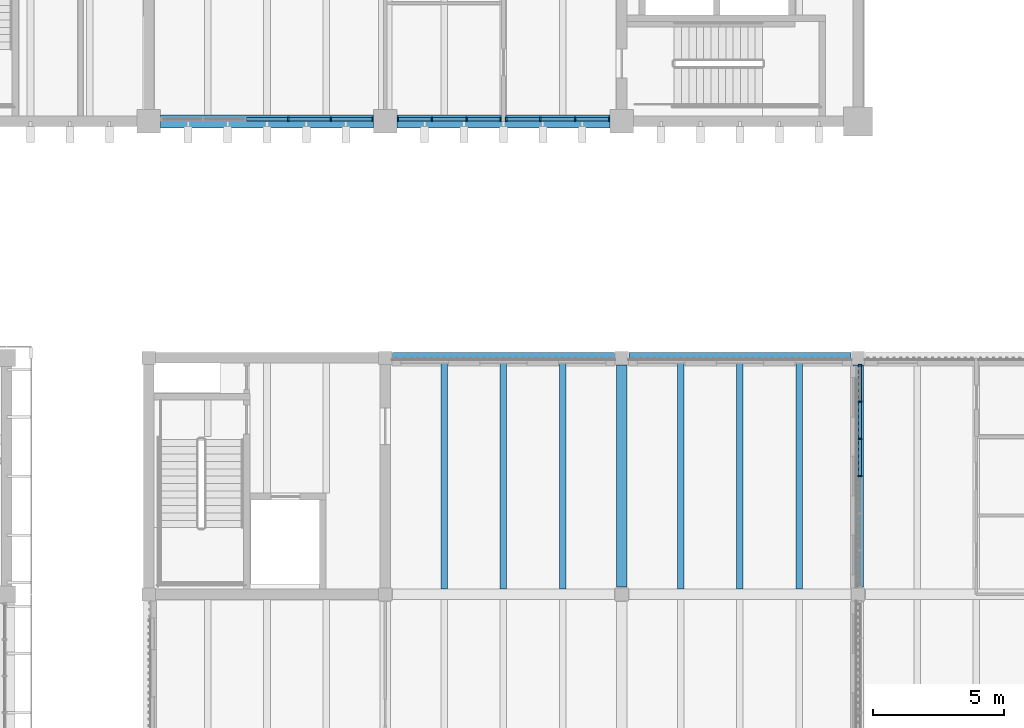
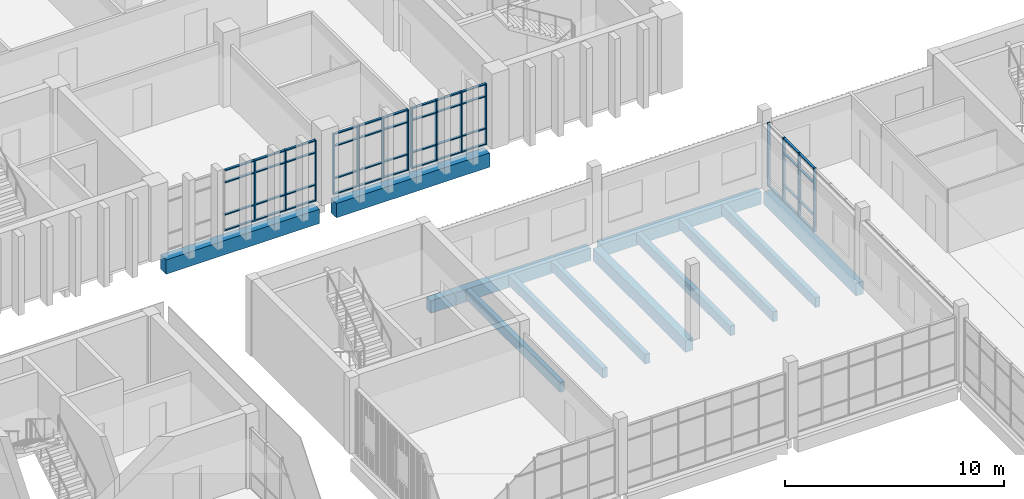
# One storey, part 29 of 92: 60 members, 12 beams, 4 elements without a shape of their own.
"""IFC4 building model written with IfcOpenShell, lengths in metres."""

from ifc_helpers import new_model, si_unit, direction, frame, origin, origin_2d, place, context, subcontext, project, spatial, rectangle, extrude, material, material_profile, profile_set, type_object, element, aggregate, save


model = new_model("IFC4")

# Units and contexts
model_context = context("Model", 3, precision=1e-05, world=origin(), true_north=direction((0.0, 1.0)))
body_context = subcontext(model_context, "Body", "Model", "MODEL_VIEW")
ifc_project = project(units=[si_unit("LENGTHUNIT", "METRE"), si_unit("AREAUNIT", "SQUARE_METRE"), si_unit("VOLUMEUNIT", "CUBIC_METRE"), si_unit("PLANEANGLEUNIT", "RADIAN"), si_unit("MASSUNIT", "GRAM", prefix="KILO")], contexts=[model_context])

# Site, building, storey
site_placement = place(None, origin())
site = spatial("IfcSite", under=ifc_project, at=site_placement, CompositionType="ELEMENT")
building_placement = place(site_placement, origin())
building = spatial("IfcBuilding", under=site, at=building_placement, Name="Merrow Basin Faculty of Sciences", CompositionType="ELEMENT")
storey_placement = place(building_placement, frame((0.0, 0.0, 4.5)))
storey = spatial("IfcBuildingStorey", under=building, at=storey_placement, Name="L01", CompositionType="ELEMENT", Elevation=4.5)

# Curtain wall, members
ifc_material_1 = material(Name="Aluminium alloy 6063", Category="aluminium")
curtain_wall_type_1 = type_object("IfcCurtainWallType", Name="Court curtain wall 140", PredefinedType="NOTDEFINED", material=ifc_material_1)
curtain_wall_1_placement = place(storey_placement, origin())
curtain_wall_1 = element("IfcCurtainWall", 1, at=curtain_wall_1_placement, inside=storey, type_object=curtain_wall_type_1, Name="Court curtain wall L01 8", PredefinedType="NOTDEFINED")
ifc_material_2 = material(Name="Aluminium alloy 6063", Category="aluminium")
ifc_material_profile_1 = material_profile(ifc_material_2, rectangle(XDim=0.139892578125, YDim=0.06005859375, at=origin_2d()))
ifc_profile_set_1 = profile_set([ifc_material_profile_1], Name="Aluminium alloy 6063")
member_type_1 = type_object("IfcMemberType", Name="Aluminium mullion 60x140", PredefinedType="MULLION", material=ifc_profile_set_1)
member_1_placement = place(storey_placement, frame((54.070068359375, 128.5, 0.0), z_axis=(0.0, 0.0, 1.0), x_axis=(-1.0, 0.0, 0.0)))
member_1 = element("IfcMember", 2, at=member_1_placement, type_object=member_type_1, Name="CW8 mullion 4", PredefinedType="MULLION", context=body_context, shape_type="SweptSolid", body=[
    extrude(rectangle(XDim=0.139892578125, YDim=0.06005859375, at=origin_2d()), origin(), (0.0, 0.0, 1.0), 3.550048828125),
])
member_2_placement = place(storey_placement, frame((54.070068359375, 129.916748046875, 0.0), z_axis=(0.0, 0.0, 1.0), x_axis=(-1.0, 0.0, 0.0)))
member_2 = element("IfcMember", 3, at=member_2_placement, type_object=member_type_1, Name="CW8 mullion 5", PredefinedType="MULLION", context=body_context, shape_type="SweptSolid", body=[
    extrude(rectangle(XDim=0.139892578125, YDim=0.06005859375, at=origin_2d()), origin(), (0.0, 0.0, 1.0), 3.550048828125),
])
member_3_placement = place(storey_placement, frame((54.070068359375, 131.333251953125, 0.0), z_axis=(0.0, 0.0, 1.0), x_axis=(-1.0, 0.0, 0.0)))
member_3 = element("IfcMember", 4, at=member_3_placement, type_object=member_type_1, Name="CW8 mullion 6", PredefinedType="MULLION", context=body_context, shape_type="SweptSolid", body=[
    extrude(rectangle(XDim=0.139892578125, YDim=0.06005859375, at=origin_2d()), origin(), (0.0, 0.0, 1.0), 3.550048828125),
])
member_4_placement = place(storey_placement, frame((54.070068359375, 132.719970703125, 0.0), z_axis=(0.0, 0.0, 1.0), x_axis=(-1.0, 0.0, 0.0)))
member_4 = element("IfcMember", 5, at=member_4_placement, type_object=member_type_1, Name="CW8 mullion 7", PredefinedType="MULLION", context=body_context, shape_type="SweptSolid", body=[
    extrude(rectangle(XDim=0.139892578125, YDim=0.06005859375, at=origin_2d()), origin(), (0.0, 0.0, 1.0), 3.550048828125),
])

ifc_material_3 = material(Name="Aluminium alloy 6063", Category="aluminium")
curtain_wall_type_2 = type_object("IfcCurtainWallType", Name="Unitised curtain wall 160", PredefinedType="NOTDEFINED", material=ifc_material_3)
curtain_wall_2_placement = place(storey_placement, origin())
curtain_wall_2 = element("IfcCurtainWall", 6, at=curtain_wall_2_placement, inside=storey, type_object=curtain_wall_type_2, Name="S curtain wall L01 1", PredefinedType="NOTDEFINED")
ifc_material_4 = material(Name="Aluminium alloy 6063", Category="aluminium")
ifc_material_profile_2 = material_profile(ifc_material_4, rectangle(XDim=0.159912109375, YDim=0.06005859375, at=origin_2d()))
ifc_profile_set_2 = profile_set([ifc_material_profile_2], Name="Aluminium alloy 6063")
member_type_2 = type_object("IfcMemberType", Name="Aluminium mullion 60x160", PredefinedType="MULLION", material=ifc_profile_set_2)
member_5_placement = place(storey_placement, frame((32.31005859375, 142.080078125, 0.0), z_axis=(0.0, 0.0, 1.0), x_axis=(0.0, 1.0, 0.0)))
member_5 = element("IfcMember", 7, at=member_5_placement, type_object=member_type_2, Name="CW3 mullion 4", PredefinedType="MULLION", context=body_context, shape_type="SweptSolid", body=[
    extrude(rectangle(XDim=0.159912109375, YDim=0.06005859375, at=origin_2d()), origin(), (0.0, 0.0, 1.0), 3.39990234375),
])
member_6_placement = place(storey_placement, frame((33.929931640625, 142.080078125, 0.0), z_axis=(0.0, 0.0, 1.0), x_axis=(0.0, 1.0, 0.0)))
member_6 = element("IfcMember", 8, at=member_6_placement, type_object=member_type_2, Name="CW3 mullion 5", PredefinedType="MULLION", context=body_context, shape_type="SweptSolid", body=[
    extrude(rectangle(XDim=0.159912109375, YDim=0.06005859375, at=origin_2d()), origin(), (0.0, 0.0, 1.0), 3.39990234375),
])
member_7_placement = place(storey_placement, frame((35.52001953125, 142.080078125, 0.0), z_axis=(0.0, 0.0, 1.0), x_axis=(0.0, 1.0, 0.0)))
member_7 = element("IfcMember", 9, at=member_7_placement, type_object=member_type_2, Name="CW3 mullion 6", PredefinedType="MULLION", context=body_context, shape_type="SweptSolid", body=[
    extrude(rectangle(XDim=0.159912109375, YDim=0.06005859375, at=origin_2d()), origin(), (0.0, 0.0, 1.0), 3.39990234375),
])

curtain_wall_3_placement = place(storey_placement, origin())
curtain_wall_3 = element("IfcCurtainWall", 10, at=curtain_wall_3_placement, inside=storey, type_object=curtain_wall_type_2, Name="S curtain wall L01 2", PredefinedType="NOTDEFINED")
member_8_placement = place(storey_placement, frame((36.47998046875, 142.080078125, 0.0), z_axis=(0.0, 0.0, 1.0), x_axis=(0.0, 1.0, 0.0)))
member_8 = element("IfcMember", 11, at=member_8_placement, type_object=member_type_2, Name="CW3 mullion 1", PredefinedType="MULLION", context=body_context, shape_type="SweptSolid", body=[
    extrude(rectangle(XDim=0.159912109375, YDim=0.06005859375, at=origin_2d()), origin(), (0.0, 0.0, 1.0), 3.39990234375),
])
member_9_placement = place(storey_placement, frame((37.77490234375, 142.080078125, 0.0), z_axis=(0.0, 0.0, 1.0), x_axis=(0.0, 1.0, 0.0)))
member_9 = element("IfcMember", 12, at=member_9_placement, type_object=member_type_2, Name="CW3 mullion 2", PredefinedType="MULLION", context=body_context, shape_type="SweptSolid", body=[
    extrude(rectangle(XDim=0.159912109375, YDim=0.06005859375, at=origin_2d()), origin(), (0.0, 0.0, 1.0), 3.39990234375),
])
member_10_placement = place(storey_placement, frame((39.10009765625, 142.080078125, 0.0), z_axis=(0.0, 0.0, 1.0), x_axis=(0.0, 1.0, 0.0)))
member_10 = element("IfcMember", 13, at=member_10_placement, type_object=member_type_2, Name="CW3 mullion 3", PredefinedType="MULLION", context=body_context, shape_type="SweptSolid", body=[
    extrude(rectangle(XDim=0.159912109375, YDim=0.06005859375, at=origin_2d()), origin(), (0.0, 0.0, 1.0), 3.39990234375),
])
member_11_placement = place(storey_placement, frame((40.39501953125, 142.080078125, 0.0), z_axis=(0.0, 0.0, 1.0), x_axis=(0.0, 1.0, 0.0)))
member_11 = element("IfcMember", 14, at=member_11_placement, type_object=member_type_2, Name="CW3 mullion 4", PredefinedType="MULLION", context=body_context, shape_type="SweptSolid", body=[
    extrude(rectangle(XDim=0.159912109375, YDim=0.06005859375, at=origin_2d()), origin(), (0.0, 0.0, 1.0), 3.39990234375),
])

curtain_wall_4_placement = place(storey_placement, origin())
curtain_wall_4 = element("IfcCurtainWall", 15, at=curtain_wall_4_placement, inside=storey, type_object=curtain_wall_type_2, Name="S curtain wall L01 3", PredefinedType="NOTDEFINED")
member_12_placement = place(storey_placement, frame((40.60498046875, 142.080078125, 0.0), z_axis=(0.0, 0.0, 1.0), x_axis=(0.0, 1.0, 0.0)))
member_12 = element("IfcMember", 16, at=member_12_placement, type_object=member_type_2, Name="CW3 mullion 1", PredefinedType="MULLION", context=body_context, shape_type="SweptSolid", body=[
    extrude(rectangle(XDim=0.159912109375, YDim=0.06005859375, at=origin_2d()), origin(), (0.0, 0.0, 1.0), 3.39990234375),
])
member_13_placement = place(storey_placement, frame((41.89990234375, 142.080078125, 0.0), z_axis=(0.0, 0.0, 1.0), x_axis=(0.0, 1.0, 0.0)))
member_13 = element("IfcMember", 17, at=member_13_placement, type_object=member_type_2, Name="CW3 mullion 2", PredefinedType="MULLION", context=body_context, shape_type="SweptSolid", body=[
    extrude(rectangle(XDim=0.159912109375, YDim=0.06005859375, at=origin_2d()), origin(), (0.0, 0.0, 1.0), 3.39990234375),
])
member_14_placement = place(storey_placement, frame((43.22509765625, 142.080078125, 0.0), z_axis=(0.0, 0.0, 1.0), x_axis=(0.0, 1.0, 0.0)))
member_14 = element("IfcMember", 18, at=member_14_placement, type_object=member_type_2, Name="CW3 mullion 3", PredefinedType="MULLION", context=body_context, shape_type="SweptSolid", body=[
    extrude(rectangle(XDim=0.159912109375, YDim=0.06005859375, at=origin_2d()), origin(), (0.0, 0.0, 1.0), 3.39990234375),
])
member_15_placement = place(storey_placement, frame((44.52001953125, 142.080078125, 0.0), z_axis=(0.0, 0.0, 1.0), x_axis=(0.0, 1.0, 0.0)))
member_15 = element("IfcMember", 19, at=member_15_placement, type_object=member_type_2, Name="CW3 mullion 4", PredefinedType="MULLION", context=body_context, shape_type="SweptSolid", body=[
    extrude(rectangle(XDim=0.159912109375, YDim=0.06005859375, at=origin_2d()), origin(), (0.0, 0.0, 1.0), 3.39990234375),
])

# Member
ifc_material_5 = material(Name="Aluminium alloy 6063", Category="aluminium")
ifc_material_profile_3 = material_profile(ifc_material_5, rectangle(XDim=0.1201171875, YDim=0.06005859375, at=origin_2d()))
ifc_profile_set_3 = profile_set([ifc_material_profile_3], Name="Aluminium alloy 6063")
member_type_3 = type_object("IfcMemberType", Name="Aluminium transom 60x120", PredefinedType="USERDEFINED", material=ifc_profile_set_3)
member_16_placement = place(storey_placement, frame((54.070068359375, 128.530029296875, 0.030029296875), z_axis=(0.0, 1.0, 0.0), x_axis=(-1.0, 0.0, 0.0)))
member_16 = element("IfcMember", 20, at=member_16_placement, type_object=member_type_3, Name="CW8 transom 4.1", ObjectType="TRANSOM", PredefinedType="USERDEFINED", context=body_context, shape_type="SweptSolid", body=[
    extrude(rectangle(XDim=0.1201171875, YDim=0.06005859375, at=origin_2d()), origin(), (0.0, 0.0, 1.0), 1.356689453125),
])

member_17_placement = place(storey_placement, frame((54.070068359375, 128.530029296875, 0.89990234375), z_axis=(0.0, 1.0, 0.0), x_axis=(-1.0, 0.0, 0.0)))
member_17 = element("IfcMember", 21, at=member_17_placement, type_object=member_type_3, Name="CW8 transom 4.2", ObjectType="TRANSOM", PredefinedType="USERDEFINED", context=body_context, shape_type="SweptSolid", body=[
    extrude(rectangle(XDim=0.1201171875, YDim=0.06005859375, at=origin_2d()), origin(), (0.0, 0.0, 1.0), 1.356689453125),
])

member_18_placement = place(storey_placement, frame((54.070068359375, 128.530029296875, 2.699951171875), z_axis=(0.0, 1.0, 0.0), x_axis=(-1.0, 0.0, 0.0)))
member_18 = element("IfcMember", 22, at=member_18_placement, type_object=member_type_3, Name="CW8 transom 4.3", ObjectType="TRANSOM", PredefinedType="USERDEFINED", context=body_context, shape_type="SweptSolid", body=[
    extrude(rectangle(XDim=0.1201171875, YDim=0.06005859375, at=origin_2d()), origin(), (0.0, 0.0, 1.0), 1.356689453125),
])

member_19_placement = place(storey_placement, frame((54.070068359375, 128.530029296875, 3.52001953125), z_axis=(0.0, 1.0, 0.0), x_axis=(-1.0, 0.0, 0.0)))
member_19 = element("IfcMember", 23, at=member_19_placement, type_object=member_type_3, Name="CW8 transom 4.4", ObjectType="TRANSOM", PredefinedType="USERDEFINED", context=body_context, shape_type="SweptSolid", body=[
    extrude(rectangle(XDim=0.1201171875, YDim=0.06005859375, at=origin_2d()), origin(), (0.0, 0.0, 1.0), 1.356689453125),
])

member_20_placement = place(storey_placement, frame((54.070068359375, 129.94677734375, 0.030029296875), z_axis=(0.0, 1.0, 0.0), x_axis=(-1.0, 0.0, 0.0)))
member_20 = element("IfcMember", 24, at=member_20_placement, type_object=member_type_3, Name="CW8 transom 5.1", ObjectType="TRANSOM", PredefinedType="USERDEFINED", context=body_context, shape_type="SweptSolid", body=[
    extrude(rectangle(XDim=0.1201171875, YDim=0.06005859375, at=origin_2d()), origin(), (0.0, 0.0, 1.0), 1.3564453125),
])

member_21_placement = place(storey_placement, frame((54.070068359375, 129.94677734375, 0.89990234375), z_axis=(0.0, 1.0, 0.0), x_axis=(-1.0, 0.0, 0.0)))
member_21 = element("IfcMember", 25, at=member_21_placement, type_object=member_type_3, Name="CW8 transom 5.2", ObjectType="TRANSOM", PredefinedType="USERDEFINED", context=body_context, shape_type="SweptSolid", body=[
    extrude(rectangle(XDim=0.1201171875, YDim=0.06005859375, at=origin_2d()), origin(), (0.0, 0.0, 1.0), 1.3564453125),
])

member_22_placement = place(storey_placement, frame((54.070068359375, 129.94677734375, 2.699951171875), z_axis=(0.0, 1.0, 0.0), x_axis=(-1.0, 0.0, 0.0)))
member_22 = element("IfcMember", 26, at=member_22_placement, type_object=member_type_3, Name="CW8 transom 5.3", ObjectType="TRANSOM", PredefinedType="USERDEFINED", context=body_context, shape_type="SweptSolid", body=[
    extrude(rectangle(XDim=0.1201171875, YDim=0.06005859375, at=origin_2d()), origin(), (0.0, 0.0, 1.0), 1.3564453125),
])

member_23_placement = place(storey_placement, frame((54.070068359375, 129.94677734375, 3.52001953125), z_axis=(0.0, 1.0, 0.0), x_axis=(-1.0, 0.0, 0.0)))
member_23 = element("IfcMember", 27, at=member_23_placement, type_object=member_type_3, Name="CW8 transom 5.4", ObjectType="TRANSOM", PredefinedType="USERDEFINED", context=body_context, shape_type="SweptSolid", body=[
    extrude(rectangle(XDim=0.1201171875, YDim=0.06005859375, at=origin_2d()), origin(), (0.0, 0.0, 1.0), 1.3564453125),
])

member_24_placement = place(storey_placement, frame((54.070068359375, 131.36328125, 0.030029296875), z_axis=(0.0, 1.0, 0.0), x_axis=(-1.0, 0.0, 0.0)))
member_24 = element("IfcMember", 28, at=member_24_placement, type_object=member_type_3, Name="CW8 transom 6.1", ObjectType="TRANSOM", PredefinedType="USERDEFINED", context=body_context, shape_type="SweptSolid", body=[
    extrude(rectangle(XDim=0.1201171875, YDim=0.06005859375, at=origin_2d()), origin(), (0.0, 0.0, 1.0), 1.32666015625),
])

aggregate(curtain_wall_1, [member_1, member_2, member_3, member_4, member_16, member_17, member_18, member_19, member_20, member_21, member_22, member_23, member_24])

member_25_placement = place(storey_placement, frame((30.719970703125, 142.080078125, 0.030029296875), z_axis=(1.0, 0.0, 0.0), x_axis=(0.0, 1.0, 0.0)))
member_25 = element("IfcMember", 29, at=member_25_placement, type_object=member_type_3, Name="CW3 transom 3.1", ObjectType="TRANSOM", PredefinedType="USERDEFINED", context=body_context, shape_type="SweptSolid", body=[
    extrude(rectangle(XDim=0.1201171875, YDim=0.06005859375, at=origin_2d()), origin(), (0.0, 0.0, 1.0), 1.56005859375),
])

member_26_placement = place(storey_placement, frame((30.719970703125, 142.080078125, 0.89990234375), z_axis=(1.0, 0.0, 0.0), x_axis=(0.0, 1.0, 0.0)))
member_26 = element("IfcMember", 30, at=member_26_placement, type_object=member_type_3, Name="CW3 transom 3.2", ObjectType="TRANSOM", PredefinedType="USERDEFINED", context=body_context, shape_type="SweptSolid", body=[
    extrude(rectangle(XDim=0.1201171875, YDim=0.06005859375, at=origin_2d()), origin(), (0.0, 0.0, 1.0), 1.56005859375),
])

member_27_placement = place(storey_placement, frame((30.719970703125, 142.080078125, 2.699951171875), z_axis=(1.0, 0.0, 0.0), x_axis=(0.0, 1.0, 0.0)))
member_27 = element("IfcMember", 31, at=member_27_placement, type_object=member_type_3, Name="CW3 transom 3.3", ObjectType="TRANSOM", PredefinedType="USERDEFINED", context=body_context, shape_type="SweptSolid", body=[
    extrude(rectangle(XDim=0.1201171875, YDim=0.06005859375, at=origin_2d()), origin(), (0.0, 0.0, 1.0), 1.56005859375),
])

member_28_placement = place(storey_placement, frame((30.719970703125, 142.080078125, 3.3701171875), z_axis=(1.0, 0.0, 0.0), x_axis=(0.0, 1.0, 0.0)))
member_28 = element("IfcMember", 32, at=member_28_placement, type_object=member_type_3, Name="CW3 transom 3.4", ObjectType="TRANSOM", PredefinedType="USERDEFINED", context=body_context, shape_type="SweptSolid", body=[
    extrude(rectangle(XDim=0.1201171875, YDim=0.06005859375, at=origin_2d()), origin(), (0.0, 0.0, 1.0), 1.56005859375),
])

member_29_placement = place(storey_placement, frame((32.340087890625, 142.080078125, 0.030029296875), z_axis=(1.0, 0.0, 0.0), x_axis=(0.0, 1.0, 0.0)))
member_29 = element("IfcMember", 33, at=member_29_placement, type_object=member_type_3, Name="CW3 transom 4.1", ObjectType="TRANSOM", PredefinedType="USERDEFINED", context=body_context, shape_type="SweptSolid", body=[
    extrude(rectangle(XDim=0.1201171875, YDim=0.06005859375, at=origin_2d()), origin(), (0.0, 0.0, 1.0), 1.559814453125),
])

member_30_placement = place(storey_placement, frame((32.340087890625, 142.080078125, 0.89990234375), z_axis=(1.0, 0.0, 0.0), x_axis=(0.0, 1.0, 0.0)))
member_30 = element("IfcMember", 34, at=member_30_placement, type_object=member_type_3, Name="CW3 transom 4.2", ObjectType="TRANSOM", PredefinedType="USERDEFINED", context=body_context, shape_type="SweptSolid", body=[
    extrude(rectangle(XDim=0.1201171875, YDim=0.06005859375, at=origin_2d()), origin(), (0.0, 0.0, 1.0), 1.559814453125),
])

member_31_placement = place(storey_placement, frame((32.340087890625, 142.080078125, 2.699951171875), z_axis=(1.0, 0.0, 0.0), x_axis=(0.0, 1.0, 0.0)))
member_31 = element("IfcMember", 35, at=member_31_placement, type_object=member_type_3, Name="CW3 transom 4.3", ObjectType="TRANSOM", PredefinedType="USERDEFINED", context=body_context, shape_type="SweptSolid", body=[
    extrude(rectangle(XDim=0.1201171875, YDim=0.06005859375, at=origin_2d()), origin(), (0.0, 0.0, 1.0), 1.559814453125),
])

member_32_placement = place(storey_placement, frame((32.340087890625, 142.080078125, 3.3701171875), z_axis=(1.0, 0.0, 0.0), x_axis=(0.0, 1.0, 0.0)))
member_32 = element("IfcMember", 36, at=member_32_placement, type_object=member_type_3, Name="CW3 transom 4.4", ObjectType="TRANSOM", PredefinedType="USERDEFINED", context=body_context, shape_type="SweptSolid", body=[
    extrude(rectangle(XDim=0.1201171875, YDim=0.06005859375, at=origin_2d()), origin(), (0.0, 0.0, 1.0), 1.559814453125),
])

member_33_placement = place(storey_placement, frame((33.9599609375, 142.080078125, 0.030029296875), z_axis=(1.0, 0.0, 0.0), x_axis=(0.0, 1.0, 0.0)))
member_33 = element("IfcMember", 37, at=member_33_placement, type_object=member_type_3, Name="CW3 transom 5.1", ObjectType="TRANSOM", PredefinedType="USERDEFINED", context=body_context, shape_type="SweptSolid", body=[
    extrude(rectangle(XDim=0.1201171875, YDim=0.06005859375, at=origin_2d()), origin(), (0.0, 0.0, 1.0), 1.530029296875),
])

member_34_placement = place(storey_placement, frame((33.9599609375, 142.080078125, 0.89990234375), z_axis=(1.0, 0.0, 0.0), x_axis=(0.0, 1.0, 0.0)))
member_34 = element("IfcMember", 38, at=member_34_placement, type_object=member_type_3, Name="CW3 transom 5.2", ObjectType="TRANSOM", PredefinedType="USERDEFINED", context=body_context, shape_type="SweptSolid", body=[
    extrude(rectangle(XDim=0.1201171875, YDim=0.06005859375, at=origin_2d()), origin(), (0.0, 0.0, 1.0), 1.530029296875),
])

member_35_placement = place(storey_placement, frame((33.9599609375, 142.080078125, 2.699951171875), z_axis=(1.0, 0.0, 0.0), x_axis=(0.0, 1.0, 0.0)))
member_35 = element("IfcMember", 39, at=member_35_placement, type_object=member_type_3, Name="CW3 transom 5.3", ObjectType="TRANSOM", PredefinedType="USERDEFINED", context=body_context, shape_type="SweptSolid", body=[
    extrude(rectangle(XDim=0.1201171875, YDim=0.06005859375, at=origin_2d()), origin(), (0.0, 0.0, 1.0), 1.530029296875),
])

member_36_placement = place(storey_placement, frame((33.9599609375, 142.080078125, 3.3701171875), z_axis=(1.0, 0.0, 0.0), x_axis=(0.0, 1.0, 0.0)))
member_36 = element("IfcMember", 40, at=member_36_placement, type_object=member_type_3, Name="CW3 transom 5.4", ObjectType="TRANSOM", PredefinedType="USERDEFINED", context=body_context, shape_type="SweptSolid", body=[
    extrude(rectangle(XDim=0.1201171875, YDim=0.06005859375, at=origin_2d()), origin(), (0.0, 0.0, 1.0), 1.530029296875),
])

aggregate(curtain_wall_2, [member_5, member_6, member_7, member_25, member_26, member_27, member_28, member_29, member_30, member_31, member_32, member_33, member_34, member_35, member_36])

member_37_placement = place(storey_placement, frame((36.510009765625, 142.080078125, 0.030029296875), z_axis=(1.0, 0.0, 0.0), x_axis=(0.0, 1.0, 0.0)))
member_37 = element("IfcMember", 41, at=member_37_placement, type_object=member_type_3, Name="CW3 transom 1.1", ObjectType="TRANSOM", PredefinedType="USERDEFINED", context=body_context, shape_type="SweptSolid", body=[
    extrude(rectangle(XDim=0.1201171875, YDim=0.06005859375, at=origin_2d()), origin(), (0.0, 0.0, 1.0), 1.235107421875),
])

member_38_placement = place(storey_placement, frame((36.510009765625, 142.080078125, 0.89990234375), z_axis=(1.0, 0.0, 0.0), x_axis=(0.0, 1.0, 0.0)))
member_38 = element("IfcMember", 42, at=member_38_placement, type_object=member_type_3, Name="CW3 transom 1.2", ObjectType="TRANSOM", PredefinedType="USERDEFINED", context=body_context, shape_type="SweptSolid", body=[
    extrude(rectangle(XDim=0.1201171875, YDim=0.06005859375, at=origin_2d()), origin(), (0.0, 0.0, 1.0), 1.235107421875),
])

member_39_placement = place(storey_placement, frame((36.510009765625, 142.080078125, 2.699951171875), z_axis=(1.0, 0.0, 0.0), x_axis=(0.0, 1.0, 0.0)))
member_39 = element("IfcMember", 43, at=member_39_placement, type_object=member_type_3, Name="CW3 transom 1.3", ObjectType="TRANSOM", PredefinedType="USERDEFINED", context=body_context, shape_type="SweptSolid", body=[
    extrude(rectangle(XDim=0.1201171875, YDim=0.06005859375, at=origin_2d()), origin(), (0.0, 0.0, 1.0), 1.235107421875),
])

member_40_placement = place(storey_placement, frame((36.510009765625, 142.080078125, 3.3701171875), z_axis=(1.0, 0.0, 0.0), x_axis=(0.0, 1.0, 0.0)))
member_40 = element("IfcMember", 44, at=member_40_placement, type_object=member_type_3, Name="CW3 transom 1.4", ObjectType="TRANSOM", PredefinedType="USERDEFINED", context=body_context, shape_type="SweptSolid", body=[
    extrude(rectangle(XDim=0.1201171875, YDim=0.06005859375, at=origin_2d()), origin(), (0.0, 0.0, 1.0), 1.235107421875),
])

member_41_placement = place(storey_placement, frame((37.804931640625, 142.080078125, 0.030029296875), z_axis=(1.0, 0.0, 0.0), x_axis=(0.0, 1.0, 0.0)))
member_41 = element("IfcMember", 45, at=member_41_placement, type_object=member_type_3, Name="CW3 transom 2.1", ObjectType="TRANSOM", PredefinedType="USERDEFINED", context=body_context, shape_type="SweptSolid", body=[
    extrude(rectangle(XDim=0.1201171875, YDim=0.06005859375, at=origin_2d()), origin(), (0.0, 0.0, 1.0), 1.26513671875),
])

member_42_placement = place(storey_placement, frame((37.804931640625, 142.080078125, 0.89990234375), z_axis=(1.0, 0.0, 0.0), x_axis=(0.0, 1.0, 0.0)))
member_42 = element("IfcMember", 46, at=member_42_placement, type_object=member_type_3, Name="CW3 transom 2.2", ObjectType="TRANSOM", PredefinedType="USERDEFINED", context=body_context, shape_type="SweptSolid", body=[
    extrude(rectangle(XDim=0.1201171875, YDim=0.06005859375, at=origin_2d()), origin(), (0.0, 0.0, 1.0), 1.26513671875),
])

member_43_placement = place(storey_placement, frame((37.804931640625, 142.080078125, 2.699951171875), z_axis=(1.0, 0.0, 0.0), x_axis=(0.0, 1.0, 0.0)))
member_43 = element("IfcMember", 47, at=member_43_placement, type_object=member_type_3, Name="CW3 transom 2.3", ObjectType="TRANSOM", PredefinedType="USERDEFINED", context=body_context, shape_type="SweptSolid", body=[
    extrude(rectangle(XDim=0.1201171875, YDim=0.06005859375, at=origin_2d()), origin(), (0.0, 0.0, 1.0), 1.26513671875),
])

member_44_placement = place(storey_placement, frame((37.804931640625, 142.080078125, 3.3701171875), z_axis=(1.0, 0.0, 0.0), x_axis=(0.0, 1.0, 0.0)))
member_44 = element("IfcMember", 48, at=member_44_placement, type_object=member_type_3, Name="CW3 transom 2.4", ObjectType="TRANSOM", PredefinedType="USERDEFINED", context=body_context, shape_type="SweptSolid", body=[
    extrude(rectangle(XDim=0.1201171875, YDim=0.06005859375, at=origin_2d()), origin(), (0.0, 0.0, 1.0), 1.26513671875),
])

member_45_placement = place(storey_placement, frame((39.1298828125, 142.080078125, 0.030029296875), z_axis=(1.0, 0.0, 0.0), x_axis=(0.0, 1.0, 0.0)))
member_45 = element("IfcMember", 49, at=member_45_placement, type_object=member_type_3, Name="CW3 transom 3.1", ObjectType="TRANSOM", PredefinedType="USERDEFINED", context=body_context, shape_type="SweptSolid", body=[
    extrude(rectangle(XDim=0.1201171875, YDim=0.06005859375, at=origin_2d()), origin(), (0.0, 0.0, 1.0), 1.235107421875),
])

member_46_placement = place(storey_placement, frame((39.1298828125, 142.080078125, 0.89990234375), z_axis=(1.0, 0.0, 0.0), x_axis=(0.0, 1.0, 0.0)))
member_46 = element("IfcMember", 50, at=member_46_placement, type_object=member_type_3, Name="CW3 transom 3.2", ObjectType="TRANSOM", PredefinedType="USERDEFINED", context=body_context, shape_type="SweptSolid", body=[
    extrude(rectangle(XDim=0.1201171875, YDim=0.06005859375, at=origin_2d()), origin(), (0.0, 0.0, 1.0), 1.235107421875),
])

member_47_placement = place(storey_placement, frame((39.1298828125, 142.080078125, 2.699951171875), z_axis=(1.0, 0.0, 0.0), x_axis=(0.0, 1.0, 0.0)))
member_47 = element("IfcMember", 51, at=member_47_placement, type_object=member_type_3, Name="CW3 transom 3.3", ObjectType="TRANSOM", PredefinedType="USERDEFINED", context=body_context, shape_type="SweptSolid", body=[
    extrude(rectangle(XDim=0.1201171875, YDim=0.06005859375, at=origin_2d()), origin(), (0.0, 0.0, 1.0), 1.235107421875),
])

member_48_placement = place(storey_placement, frame((39.1298828125, 142.080078125, 3.3701171875), z_axis=(1.0, 0.0, 0.0), x_axis=(0.0, 1.0, 0.0)))
member_48 = element("IfcMember", 52, at=member_48_placement, type_object=member_type_3, Name="CW3 transom 3.4", ObjectType="TRANSOM", PredefinedType="USERDEFINED", context=body_context, shape_type="SweptSolid", body=[
    extrude(rectangle(XDim=0.1201171875, YDim=0.06005859375, at=origin_2d()), origin(), (0.0, 0.0, 1.0), 1.235107421875),
])

aggregate(curtain_wall_3, [member_8, member_9, member_10, member_11, member_37, member_38, member_39, member_40, member_41, member_42, member_43, member_44, member_45, member_46, member_47, member_48])

member_49_placement = place(storey_placement, frame((40.635009765625, 142.080078125, 0.030029296875), z_axis=(1.0, 0.0, 0.0), x_axis=(0.0, 1.0, 0.0)))
member_49 = element("IfcMember", 53, at=member_49_placement, type_object=member_type_3, Name="CW3 transom 1.1", ObjectType="TRANSOM", PredefinedType="USERDEFINED", context=body_context, shape_type="SweptSolid", body=[
    extrude(rectangle(XDim=0.1201171875, YDim=0.06005859375, at=origin_2d()), origin(), (0.0, 0.0, 1.0), 1.235107421875),
])

member_50_placement = place(storey_placement, frame((40.635009765625, 142.080078125, 0.89990234375), z_axis=(1.0, 0.0, 0.0), x_axis=(0.0, 1.0, 0.0)))
member_50 = element("IfcMember", 54, at=member_50_placement, type_object=member_type_3, Name="CW3 transom 1.2", ObjectType="TRANSOM", PredefinedType="USERDEFINED", context=body_context, shape_type="SweptSolid", body=[
    extrude(rectangle(XDim=0.1201171875, YDim=0.06005859375, at=origin_2d()), origin(), (0.0, 0.0, 1.0), 1.235107421875),
])

member_51_placement = place(storey_placement, frame((40.635009765625, 142.080078125, 2.699951171875), z_axis=(1.0, 0.0, 0.0), x_axis=(0.0, 1.0, 0.0)))
member_51 = element("IfcMember", 55, at=member_51_placement, type_object=member_type_3, Name="CW3 transom 1.3", ObjectType="TRANSOM", PredefinedType="USERDEFINED", context=body_context, shape_type="SweptSolid", body=[
    extrude(rectangle(XDim=0.1201171875, YDim=0.06005859375, at=origin_2d()), origin(), (0.0, 0.0, 1.0), 1.235107421875),
])

member_52_placement = place(storey_placement, frame((40.635009765625, 142.080078125, 3.3701171875), z_axis=(1.0, 0.0, 0.0), x_axis=(0.0, 1.0, 0.0)))
member_52 = element("IfcMember", 56, at=member_52_placement, type_object=member_type_3, Name="CW3 transom 1.4", ObjectType="TRANSOM", PredefinedType="USERDEFINED", context=body_context, shape_type="SweptSolid", body=[
    extrude(rectangle(XDim=0.1201171875, YDim=0.06005859375, at=origin_2d()), origin(), (0.0, 0.0, 1.0), 1.235107421875),
])

member_53_placement = place(storey_placement, frame((41.929931640625, 142.080078125, 0.030029296875), z_axis=(1.0, 0.0, 0.0), x_axis=(0.0, 1.0, 0.0)))
member_53 = element("IfcMember", 57, at=member_53_placement, type_object=member_type_3, Name="CW3 transom 2.1", ObjectType="TRANSOM", PredefinedType="USERDEFINED", context=body_context, shape_type="SweptSolid", body=[
    extrude(rectangle(XDim=0.1201171875, YDim=0.06005859375, at=origin_2d()), origin(), (0.0, 0.0, 1.0), 1.26513671875),
])

member_54_placement = place(storey_placement, frame((41.929931640625, 142.080078125, 0.89990234375), z_axis=(1.0, 0.0, 0.0), x_axis=(0.0, 1.0, 0.0)))
member_54 = element("IfcMember", 58, at=member_54_placement, type_object=member_type_3, Name="CW3 transom 2.2", ObjectType="TRANSOM", PredefinedType="USERDEFINED", context=body_context, shape_type="SweptSolid", body=[
    extrude(rectangle(XDim=0.1201171875, YDim=0.06005859375, at=origin_2d()), origin(), (0.0, 0.0, 1.0), 1.26513671875),
])

member_55_placement = place(storey_placement, frame((41.929931640625, 142.080078125, 2.699951171875), z_axis=(1.0, 0.0, 0.0), x_axis=(0.0, 1.0, 0.0)))
member_55 = element("IfcMember", 59, at=member_55_placement, type_object=member_type_3, Name="CW3 transom 2.3", ObjectType="TRANSOM", PredefinedType="USERDEFINED", context=body_context, shape_type="SweptSolid", body=[
    extrude(rectangle(XDim=0.1201171875, YDim=0.06005859375, at=origin_2d()), origin(), (0.0, 0.0, 1.0), 1.26513671875),
])

member_56_placement = place(storey_placement, frame((41.929931640625, 142.080078125, 3.3701171875), z_axis=(1.0, 0.0, 0.0), x_axis=(0.0, 1.0, 0.0)))
member_56 = element("IfcMember", 60, at=member_56_placement, type_object=member_type_3, Name="CW3 transom 2.4", ObjectType="TRANSOM", PredefinedType="USERDEFINED", context=body_context, shape_type="SweptSolid", body=[
    extrude(rectangle(XDim=0.1201171875, YDim=0.06005859375, at=origin_2d()), origin(), (0.0, 0.0, 1.0), 1.26513671875),
])

member_57_placement = place(storey_placement, frame((43.2548828125, 142.080078125, 0.030029296875), z_axis=(1.0, 0.0, 0.0), x_axis=(0.0, 1.0, 0.0)))
member_57 = element("IfcMember", 61, at=member_57_placement, type_object=member_type_3, Name="CW3 transom 3.1", ObjectType="TRANSOM", PredefinedType="USERDEFINED", context=body_context, shape_type="SweptSolid", body=[
    extrude(rectangle(XDim=0.1201171875, YDim=0.06005859375, at=origin_2d()), origin(), (0.0, 0.0, 1.0), 1.235107421875),
])

member_58_placement = place(storey_placement, frame((43.2548828125, 142.080078125, 0.89990234375), z_axis=(1.0, 0.0, 0.0), x_axis=(0.0, 1.0, 0.0)))
member_58 = element("IfcMember", 62, at=member_58_placement, type_object=member_type_3, Name="CW3 transom 3.2", ObjectType="TRANSOM", PredefinedType="USERDEFINED", context=body_context, shape_type="SweptSolid", body=[
    extrude(rectangle(XDim=0.1201171875, YDim=0.06005859375, at=origin_2d()), origin(), (0.0, 0.0, 1.0), 1.235107421875),
])

member_59_placement = place(storey_placement, frame((43.2548828125, 142.080078125, 2.699951171875), z_axis=(1.0, 0.0, 0.0), x_axis=(0.0, 1.0, 0.0)))
member_59 = element("IfcMember", 63, at=member_59_placement, type_object=member_type_3, Name="CW3 transom 3.3", ObjectType="TRANSOM", PredefinedType="USERDEFINED", context=body_context, shape_type="SweptSolid", body=[
    extrude(rectangle(XDim=0.1201171875, YDim=0.06005859375, at=origin_2d()), origin(), (0.0, 0.0, 1.0), 1.235107421875),
])

member_60_placement = place(storey_placement, frame((43.2548828125, 142.080078125, 3.3701171875), z_axis=(1.0, 0.0, 0.0), x_axis=(0.0, 1.0, 0.0)))
member_60 = element("IfcMember", 64, at=member_60_placement, type_object=member_type_3, Name="CW3 transom 3.4", ObjectType="TRANSOM", PredefinedType="USERDEFINED", context=body_context, shape_type="SweptSolid", body=[
    extrude(rectangle(XDim=0.1201171875, YDim=0.06005859375, at=origin_2d()), origin(), (0.0, 0.0, 1.0), 1.235107421875),
])

aggregate(curtain_wall_4, [member_12, member_13, member_14, member_15, member_49, member_50, member_51, member_52, member_53, member_54, member_55, member_56, member_57, member_58, member_59, member_60])

# Beams
ifc_material_6 = material(Name="Concrete C40/50", Category="concrete")
ifc_material_profile_4 = material_profile(ifc_material_6, rectangle(XDim=0.39990234375, YDim=0.699951171875, at=origin_2d()))
ifc_profile_set_4 = profile_set([ifc_material_profile_4], Name="Concrete C40/50")
beam_type_1 = type_object("IfcBeamType", Name="Beam RC400x700 C40/50", PredefinedType="BEAM", material=ifc_profile_set_4)
for number, where, z_axis, x_axis, name in (
    (65, (36.27490234375, 133.0, -0.60009765625), (1.0, 0.0, 0.0), (0.0, 1.0, 0.0), "B3 L01 017"),
    (66, (45.27490234375, 133.0, -0.60009765625), (1.0, 0.0, 0.0), (0.0, 1.0, 0.0), "B3 L01 018"),
    (67, (45.0, 124.27490234375, -0.60009765625), (0.0, 1.0, 0.0), (-1.0, 0.0, 0.0), "B3 L01 023"),
    (68, (54.0, 124.27490234375, -0.60009765625), (0.0, 1.0, 0.0), (-1.0, 0.0, 0.0), "B3 L01 031"),
):
    element("IfcBeam", number, at=place(storey_placement, frame(where, z_axis=z_axis, x_axis=x_axis)), inside=storey, type_object=beam_type_1, Name=name, PredefinedType="BEAM", context=body_context, shape_type="SweptSolid", body=[
        extrude(rectangle(XDim=0.39990234375, YDim=0.699951171875, at=origin_2d()), origin(), (0.0, 0.0, 1.0), 8.4501953125),
    ])
ifc_material_7 = material(Name="Concrete C40/50", Category="concrete")
ifc_material_profile_5 = material_profile(ifc_material_7, rectangle(XDim=0.5, YDim=0.800048828125, at=origin_2d()))
ifc_profile_set_5 = profile_set([ifc_material_profile_5], Name="Concrete C40/50")
beam_type_2 = type_object("IfcBeamType", Name="Beam RC500x800 C40/50", PredefinedType="BEAM", material=ifc_profile_set_5)
for number, where, z_axis, x_axis, name in (
    (69, (27.449951171875, 142.0, -0.699951171875), (1.0, 0.0, 0.0), (0.0, 1.0, 0.0), "B4 L01 001"),
    (70, (36.449951171875, 142.0, -0.699951171875), (1.0, 0.0, 0.0), (0.0, 1.0, 0.0), "B4 L01 002"),
):
    element("IfcBeam", number, at=place(storey_placement, frame(where, z_axis=z_axis, x_axis=x_axis)), inside=storey, type_object=beam_type_2, Name=name, PredefinedType="BEAM", context=body_context, shape_type="SweptSolid", body=[
        extrude(rectangle(XDim=0.5, YDim=0.800048828125, at=origin_2d()), origin(), (0.0, 0.0, 1.0), 8.10009765625),
    ])
ifc_material_8 = material(Name="Concrete C40/50", Category="concrete")
ifc_material_profile_6 = material_profile(ifc_material_8, rectangle(XDim=0.25, YDim=0.550048828125, at=origin_2d()))
ifc_profile_set_6 = profile_set([ifc_material_profile_6], Name="Concrete C40/50")
beam_type_3 = type_object("IfcBeamType", Name="Commons floor joist RC250x550 C40/50", PredefinedType="BEAM", material=ifc_profile_set_6)
for number, where, z_axis, x_axis, name in (
    (71, (38.25, 124.199951171875, -0.52490234375), (0.0, 1.0, 0.0), (-1.0, 0.0, 0.0), "JC1 L01 051"),
    (72, (40.5, 124.199951171875, -0.52490234375), (0.0, 1.0, 0.0), (-1.0, 0.0, 0.0), "JC1 L01 052"),
    (73, (42.75, 124.199951171875, -0.52490234375), (0.0, 1.0, 0.0), (-1.0, 0.0, 0.0), "JC1 L01 053"),
    (74, (47.25, 124.199951171875, -0.52490234375), (0.0, 1.0, 0.0), (-1.0, 0.0, 0.0), "JC1 L01 057"),
    (75, (49.5, 124.199951171875, -0.52490234375), (0.0, 1.0, 0.0), (-1.0, 0.0, 0.0), "JC1 L01 058"),
    (76, (51.75, 124.199951171875, -0.52490234375), (0.0, 1.0, 0.0), (-1.0, 0.0, 0.0), "JC1 L01 059"),
):
    element("IfcBeam", number, at=place(storey_placement, frame(where, z_axis=z_axis, x_axis=x_axis)), inside=storey, type_object=beam_type_3, Name=name, PredefinedType="BEAM", context=body_context, shape_type="SweptSolid", body=[
        extrude(rectangle(XDim=0.25, YDim=0.550048828125, at=origin_2d()), origin(), (0.0, 0.0, 1.0), 8.60009765625),
    ])

save(model, "model.ifc")
